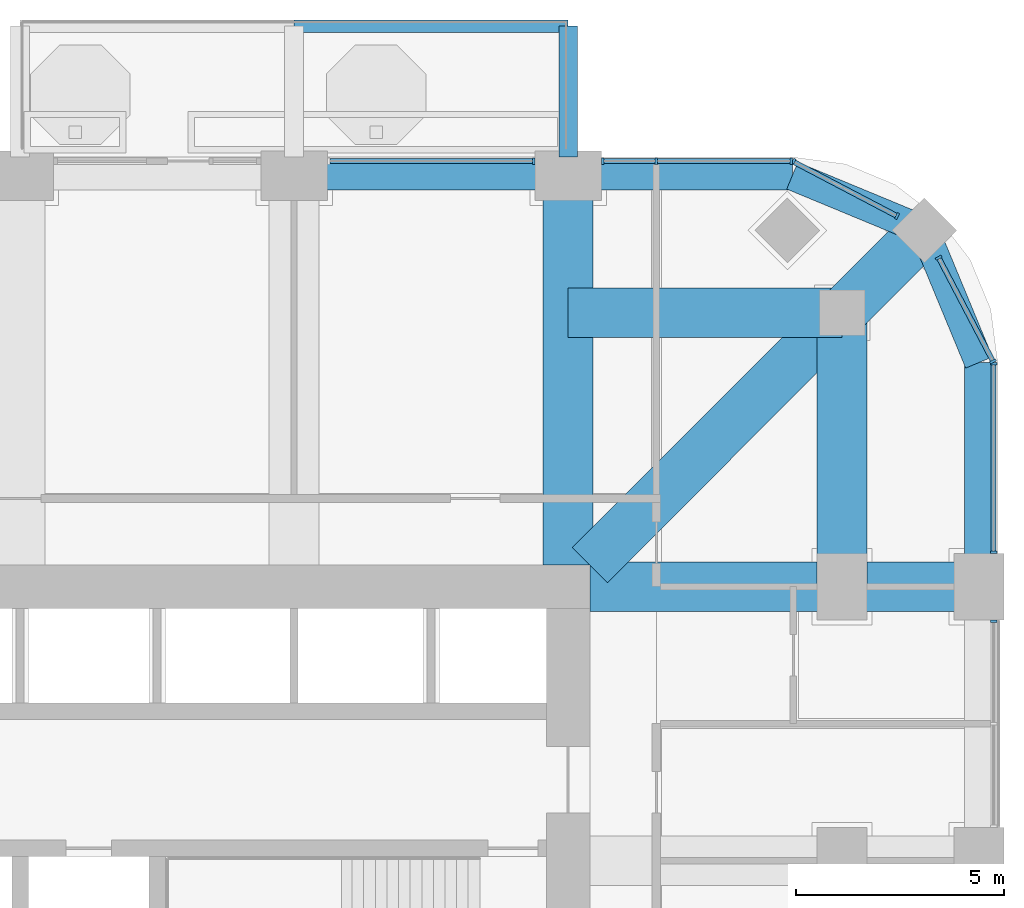
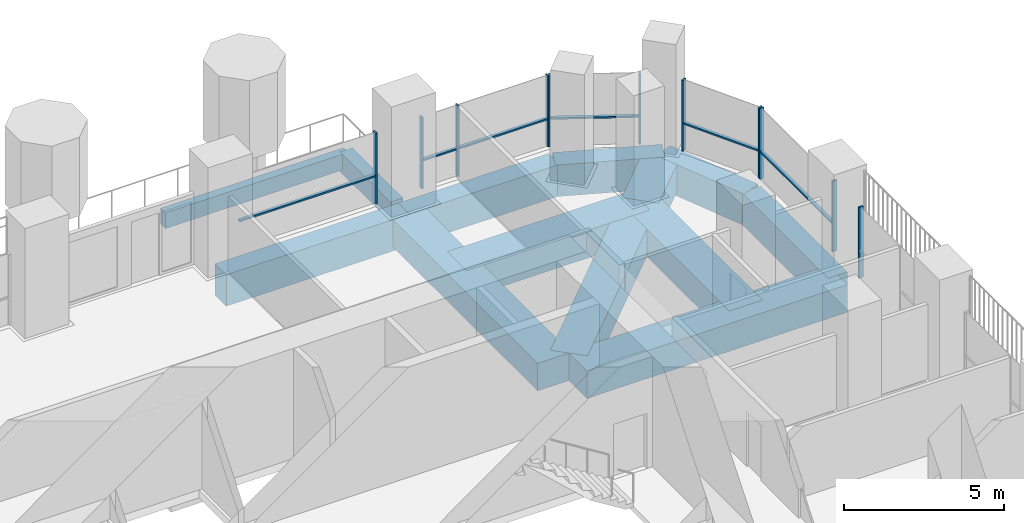
# One storey, part 7 of 19: 17 members, 13 beams, 6 elements without a shape of their own.
"""IFC4 building model written with IfcOpenShell, lengths in metres."""

from ifc_helpers import new_model, si_unit, direction, frame, origin, origin_2d, place, context, subcontext, project, spatial, rectangle, extrude, material, material_profile, profile_set, type_object, element, aggregate, save


model = new_model("IFC4")

# Units and contexts
model_context = context("Model", 3, precision=1e-05, world=origin(), true_north=direction((0.0, 1.0)))
body_context = subcontext(model_context, "Body", "Model", "MODEL_VIEW")
ifc_project = project(units=[si_unit("LENGTHUNIT", "METRE"), si_unit("AREAUNIT", "SQUARE_METRE"), si_unit("VOLUMEUNIT", "CUBIC_METRE"), si_unit("PLANEANGLEUNIT", "RADIAN"), si_unit("MASSUNIT", "GRAM", prefix="KILO")], contexts=[model_context])

# Site, building, storey
site_placement = place(None, origin())
site = spatial("IfcSite", under=ifc_project, at=site_placement, CompositionType="ELEMENT")
building_placement = place(site_placement, origin())
building = spatial("IfcBuilding", under=site, at=building_placement, Name="Cobogo Forest Laboratory Tower", CompositionType="ELEMENT")
storey_placement = place(building_placement, frame((0.0, 0.0, 197.699951171875)))
storey = spatial("IfcBuildingStorey", under=building, at=storey_placement, Name="L45", CompositionType="ELEMENT", Elevation=197.699951171875)

# Beams
ifc_material_1 = material(Name="Concrete HA-40 (C40/50)", Category="concrete")
ifc_material_profile_1 = material_profile(ifc_material_1, rectangle(XDim=0.449951171875, YDim=0.75, at=origin_2d()), Name="RC 450x750")
ifc_profile_set_1 = profile_set([ifc_material_profile_1], Name="Concrete HA-40 (C40/50)")
beam_type_1 = type_object("IfcBeamType", Name="Balcony cantilever beam 450x750", PredefinedType="BEAM", material=ifc_profile_set_1)
beam_1_placement = place(storey_placement, frame((39.60009765625, 43.35009765625, -0.625), z_axis=(0.0, 1.0, 0.0), x_axis=(-1.0, 0.0, 0.0)))
element("IfcBeam", 1, at=beam_1_placement, inside=storey, type_object=beam_type_1, Name="CB1 BAL-N1-C3 L45", PredefinedType="BEAM", context=body_context, shape_type="SweptSolid", body=[
    extrude(rectangle(XDim=0.449951171875, YDim=0.75, at=origin_2d()), origin(), (0.0, 0.0, 1.0), 3.14990234375),
])
ifc_material_profile_2 = material_profile(ifc_material_1, rectangle(XDim=0.300048828125, YDim=0.60009765625, at=origin_2d()), Name="RC 300x600")
ifc_profile_set_2 = profile_set([ifc_material_profile_2], Name="Concrete HA-40 (C40/50)")
beam_type_2 = type_object("IfcBeamType", Name="Balcony edge beam 300x600", PredefinedType="BEAM", material=ifc_profile_set_2)
beam_2_placement = place(storey_placement, frame((33.0, 46.5, -0.550048828125), z_axis=(1.0, 0.0, 0.0), x_axis=(0.0, 1.0, 0.0)))
element("IfcBeam", 2, at=beam_2_placement, inside=storey, type_object=beam_type_2, Name="BB1 BAL-N1-T2 L45", PredefinedType="BEAM", context=body_context, shape_type="SweptSolid", body=[
    extrude(rectangle(XDim=0.300048828125, YDim=0.60009765625, at=origin_2d()), origin(), (0.0, 0.0, 1.0), 6.60009765625),
])
ifc_material_profile_3 = material_profile(ifc_material_1, rectangle(XDim=1.199951171875, YDim=1.050048828125, at=origin_2d()), Name="RC 1200x1050")
ifc_profile_set_3 = profile_set([ifc_material_profile_3], Name="Concrete HA-40 (C40/50)")
beam_type_3 = type_object("IfcBeamType", Name="Laboratory floor wide beam 1200x1050", PredefinedType="BEAM", material=ifc_profile_set_3)
for number, where, z_axis, x_axis, name in (
    (3, (39.60009765625, 33.52490234375, -0.824951171875), (0.0, 1.0, 0.0), (-1.0, 0.0, 0.0), "RB1 R-7-N L45"),
    (4, (40.125, 33.0, -0.824951171875), (1.0, 0.0, 0.0), (0.0, 1.0, 0.0), "RB1 R-F-E L45"),
):
    element("IfcBeam", number, at=place(storey_placement, frame(where, z_axis=z_axis, x_axis=x_axis)), inside=storey, type_object=beam_type_3, Name=name, PredefinedType="BEAM", context=body_context, shape_type="SweptSolid", body=[
        extrude(rectangle(XDim=1.199951171875, YDim=1.050048828125, at=origin_2d()), origin(), (0.0, 0.0, 1.0), 9.375),
    ])
beam_3_placement = place(storey_placement, frame((46.199951171875, 39.60009765625, -0.824951171875), z_axis=(0.0, -1.0, 0.0), x_axis=(1.0, 0.0, 0.0)))
element("IfcBeam", 5, at=beam_3_placement, inside=storey, type_object=beam_type_3, Name="RB1 G-NE-XC L45", PredefinedType="BEAM", context=body_context, shape_type="SweptSolid", body=[
    extrude(rectangle(XDim=1.199951171875, YDim=1.050048828125, at=origin_2d()), origin(), (0.0, 0.0, 1.0), 6.60009765625),
])
beam_4_placement = place(storey_placement, frame((46.199951171875, 39.60009765625, -0.824951171875), z_axis=(-1.0, 0.0, 0.0), x_axis=(0.0, -1.0, 0.0)))
element("IfcBeam", 6, at=beam_4_placement, inside=storey, type_object=beam_type_3, Name="RB1 G-NE-YC L45", PredefinedType="BEAM", context=body_context, shape_type="SweptSolid", body=[
    extrude(rectangle(XDim=1.199951171875, YDim=1.050048828125, at=origin_2d()), origin(), (0.0, 0.0, 1.0), 6.599853515625),
])
beam_5_placement = place(storey_placement, frame((48.181884765625, 41.58203125, -0.824951171875), z_axis=(-0.707106781187, -0.707106781187, 0.0), x_axis=(0.707106781187, -0.707106781187, 0.0)))
element("IfcBeam", 7, at=beam_5_placement, inside=storey, type_object=beam_type_3, Name="RB1 G-NE-D1 L45", PredefinedType="BEAM", context=body_context, shape_type="SweptSolid", body=[
    extrude(rectangle(XDim=1.199951171875, YDim=1.050048828125, at=origin_2d()), origin(), (0.0, 0.0, 1.0), 2.802978515625),
])
beam_6_placement = place(storey_placement, frame((46.199951171875, 39.60009765625, -0.824951171875), z_axis=(-0.707092572697, -0.70712098939, 0.0), x_axis=(0.70712098939, -0.707092572697, 0.0)))
element("IfcBeam", 8, at=beam_6_placement, inside=storey, type_object=beam_type_3, Name="RB1 G-NE-D2 L45", PredefinedType="BEAM", context=body_context, shape_type="SweptSolid", body=[
    extrude(rectangle(XDim=1.199951171875, YDim=1.050048828125, at=origin_2d()), origin(), (0.0, 0.0, 1.0), 8.591552734375),
])

# Curtain wall, member
ifc_material_2 = material(Name="Aluminium curtain wall", Category="aluminium")
curtain_wall_type = type_object("IfcCurtainWallType", Name="CW-2 unitised curtain wall, solar control glazing, laboratory floors zones C and D", PredefinedType="USERDEFINED", material=ifc_material_2)
curtain_wall_1_placement = place(storey_placement, origin())
curtain_wall_1 = element("IfcCurtainWall", 9, at=curtain_wall_1_placement, inside=storey, type_object=curtain_wall_type, Name="Curtain wall 12 L45", ObjectType="UNITISED CURTAIN WALL", PredefinedType="USERDEFINED")
ifc_material_3 = material(Name="Aluminium mullion", Category="aluminium")
ifc_material_profile_4 = material_profile(ifc_material_3, rectangle(XDim=0.06005859375, YDim=0.159912109375, at=origin_2d()), Name="AL 60x160")
ifc_profile_set_4 = profile_set([ifc_material_profile_4], Name="Aluminium mullion")
member_type_1 = type_object("IfcMemberType", Name="MU-1 aluminium mullion 60x160", PredefinedType="MULLION", material=ifc_profile_set_4)
member_1_placement = place(storey_placement, frame((49.85009765625, 32.169921875, 0.0), z_axis=(0.0, 0.0, 1.0), x_axis=(0.0, 1.0, 0.0)))
member_1 = element("IfcMember", 10, at=member_1_placement, type_object=member_type_1, Name="CW-2 mullion 3", PredefinedType="MULLION", context=body_context, shape_type="SweptSolid", body=[
    extrude(rectangle(XDim=0.06005859375, YDim=0.159912109375, at=origin_2d()), origin(), (0.0, 0.0, 1.0), 2.699951171875),
])
aggregate(curtain_wall_1, [member_1])

# Curtain wall, members
curtain_wall_2_placement = place(storey_placement, origin())
curtain_wall_2 = element("IfcCurtainWall", 11, at=curtain_wall_2_placement, inside=storey, type_object=curtain_wall_type, Name="Curtain wall 13 L45", ObjectType="UNITISED CURTAIN WALL", PredefinedType="USERDEFINED")
member_2_placement = place(storey_placement, frame((49.85009765625, 33.830078125, 0.0), z_axis=(0.0, 0.0, 1.0), x_axis=(0.0, 1.0, 0.0)))
member_2 = element("IfcMember", 12, at=member_2_placement, type_object=member_type_1, Name="CW-2 mullion 1", PredefinedType="MULLION", context=body_context, shape_type="SweptSolid", body=[
    extrude(rectangle(XDim=0.06005859375, YDim=0.159912109375, at=origin_2d()), origin(), (0.0, 0.0, 1.0), 2.699951171875),
])
member_3_placement = place(storey_placement, frame((49.85009765625, 38.3701171875, 0.0), z_axis=(0.0, 0.0, 1.0), x_axis=(0.0, 1.0, 0.0)))
member_3 = element("IfcMember", 13, at=member_3_placement, type_object=member_type_1, Name="CW-2 mullion 2", PredefinedType="MULLION", context=body_context, shape_type="SweptSolid", body=[
    extrude(rectangle(XDim=0.06005859375, YDim=0.159912109375, at=origin_2d()), origin(), (0.0, 0.0, 1.0), 2.699951171875),
])

curtain_wall_3_placement = place(storey_placement, origin())
curtain_wall_3 = element("IfcCurtainWall", 14, at=curtain_wall_3_placement, inside=storey, type_object=curtain_wall_type, Name="Curtain wall 14 L45", ObjectType="UNITISED CURTAIN WALL", PredefinedType="USERDEFINED")
member_4_placement = place(storey_placement, frame((49.836181640625, 38.426513671875, 0.0), z_axis=(0.0, 0.0, 1.0), x_axis=(-0.464283804832, 0.885686484356, 0.0)))
member_4 = element("IfcMember", 15, at=member_4_placement, type_object=member_type_1, Name="CW-2 mullion 1", PredefinedType="MULLION", context=body_context, shape_type="SweptSolid", body=[
    extrude(rectangle(XDim=0.06005859375, YDim=0.159912109375, at=origin_2d()), origin(), (0.0, 0.0, 1.0), 2.699951171875),
])
member_5_placement = place(storey_placement, frame((48.526611328125, 40.924560546875, 0.0), z_axis=(0.0, 0.0, 1.0), x_axis=(-0.464283804832, 0.885686484356, 0.0)))
member_5 = element("IfcMember", 16, at=member_5_placement, type_object=member_type_1, Name="CW-2 mullion 2", PredefinedType="MULLION", context=body_context, shape_type="SweptSolid", body=[
    extrude(rectangle(XDim=0.06005859375, YDim=0.159912109375, at=origin_2d()), origin(), (0.0, 0.0, 1.0), 2.699951171875),
])

curtain_wall_4_placement = place(storey_placement, origin())
curtain_wall_4 = element("IfcCurtainWall", 17, at=curtain_wall_4_placement, inside=storey, type_object=curtain_wall_type, Name="Curtain wall 15 L45", ObjectType="UNITISED CURTAIN WALL", PredefinedType="USERDEFINED")
member_6_placement = place(storey_placement, frame((47.5244140625, 41.9267578125, 0.0), z_axis=(0.0, 0.0, 1.0), x_axis=(-0.885686484356, 0.464283804832, 0.0)))
member_6 = element("IfcMember", 18, at=member_6_placement, type_object=member_type_1, Name="CW-2 mullion 1", PredefinedType="MULLION", context=body_context, shape_type="SweptSolid", body=[
    extrude(rectangle(XDim=0.06005859375, YDim=0.159912109375, at=origin_2d()), origin(), (0.0, 0.0, 1.0), 2.699951171875),
])
member_7_placement = place(storey_placement, frame((45.026611328125, 43.236083984375, 0.0), z_axis=(0.0, 0.0, 1.0), x_axis=(-0.885686484356, 0.464283804832, 0.0)))
member_7 = element("IfcMember", 19, at=member_7_placement, type_object=member_type_1, Name="CW-2 mullion 2", PredefinedType="MULLION", context=body_context, shape_type="SweptSolid", body=[
    extrude(rectangle(XDim=0.06005859375, YDim=0.159912109375, at=origin_2d()), origin(), (0.0, 0.0, 1.0), 2.699951171875),
])

curtain_wall_5_placement = place(storey_placement, origin())
curtain_wall_5 = element("IfcCurtainWall", 20, at=curtain_wall_5_placement, inside=storey, type_object=curtain_wall_type, Name="Curtain wall 16 L45", ObjectType="UNITISED CURTAIN WALL", PredefinedType="USERDEFINED")
member_8_placement = place(storey_placement, frame((44.969970703125, 43.25, 0.0), z_axis=(0.0, 0.0, 1.0), x_axis=(-1.0, 0.0, 0.0)))
member_8 = element("IfcMember", 21, at=member_8_placement, type_object=member_type_1, Name="CW-2 mullion 1", PredefinedType="MULLION", context=body_context, shape_type="SweptSolid", body=[
    extrude(rectangle(XDim=0.06005859375, YDim=0.159912109375, at=origin_2d()), origin(), (0.0, 0.0, 1.0), 2.699951171875),
])
member_9_placement = place(storey_placement, frame((41.72509765625, 43.25, 0.0), z_axis=(0.0, 0.0, 1.0), x_axis=(-1.0, 0.0, 0.0)))
member_9 = element("IfcMember", 22, at=member_9_placement, type_object=member_type_1, Name="CW-2 mullion 2", PredefinedType="MULLION", context=body_context, shape_type="SweptSolid", body=[
    extrude(rectangle(XDim=0.06005859375, YDim=0.159912109375, at=origin_2d()), origin(), (0.0, 0.0, 1.0), 2.699951171875),
])
member_10_placement = place(storey_placement, frame((40.429931640625, 43.25, 0.0), z_axis=(0.0, 0.0, 1.0), x_axis=(-1.0, 0.0, 0.0)))
member_10 = element("IfcMember", 23, at=member_10_placement, type_object=member_type_1, Name="CW-2 mullion 3", PredefinedType="MULLION", context=body_context, shape_type="SweptSolid", body=[
    extrude(rectangle(XDim=0.06005859375, YDim=0.159912109375, at=origin_2d()), origin(), (0.0, 0.0, 1.0), 2.699951171875),
])

# Curtain wall, member
curtain_wall_6_placement = place(storey_placement, origin())
curtain_wall_6 = element("IfcCurtainWall", 24, at=curtain_wall_6_placement, inside=storey, type_object=curtain_wall_type, Name="Curtain wall 17 L45", ObjectType="UNITISED CURTAIN WALL", PredefinedType="USERDEFINED")
member_11_placement = place(storey_placement, frame((38.77001953125, 43.25, 0.0), z_axis=(0.0, 0.0, 1.0), x_axis=(-1.0, 0.0, 0.0)))
member_11 = element("IfcMember", 25, at=member_11_placement, type_object=member_type_1, Name="CW-2 mullion 1", PredefinedType="MULLION", context=body_context, shape_type="SweptSolid", body=[
    extrude(rectangle(XDim=0.06005859375, YDim=0.159912109375, at=origin_2d()), origin(), (0.0, 0.0, 1.0), 2.699951171875),
])

# Beams
ifc_material_profile_5 = material_profile(ifc_material_1, rectangle(XDim=0.699951171875, YDim=1.199951171875, at=origin_2d()), Name="RC 700x1200")
ifc_profile_set_5 = profile_set([ifc_material_profile_5], Name="Concrete HA-40 (C40/50)")
beam_type_4 = type_object("IfcBeamType", Name="Perimeter edge beam 700x1200", PredefinedType="BEAM", material=ifc_profile_set_5)
beam_7_placement = place(storey_placement, frame((33.0, 42.89990234375, -0.89990234375), z_axis=(1.0, 0.0, 0.0), x_axis=(0.0, 1.0, 0.0)))
element("IfcBeam", 26, at=beam_7_placement, inside=storey, type_object=beam_type_4, Name="EB1 E-N4 L45", PredefinedType="BEAM", context=body_context, shape_type="SweptSolid", body=[
    extrude(rectangle(XDim=0.699951171875, YDim=1.199951171875, at=origin_2d()), origin(), (0.0, 0.0, 1.0), 6.60009765625),
])
beam_8_placement = place(storey_placement, frame((49.5, 33.0, -0.89990234375), z_axis=(0.0, 1.0, 0.0), x_axis=(-1.0, 0.0, 0.0)))
element("IfcBeam", 27, at=beam_8_placement, inside=storey, type_object=beam_type_4, Name="EB1 E-NEE1 L45", PredefinedType="BEAM", context=body_context, shape_type="SweptSolid", body=[
    extrude(rectangle(XDim=0.699951171875, YDim=1.199951171875, at=origin_2d()), origin(), (0.0, 0.0, 1.0), 5.39990234375),
])
beam_9_placement = place(storey_placement, frame((49.5, 38.39990234375, -0.89990234375), z_axis=(-0.382691928466, 0.923876013265, 0.0), x_axis=(-0.923876013265, -0.382691928466, 0.0)))
element("IfcBeam", 28, at=beam_9_placement, inside=storey, type_object=beam_type_4, Name="EB1 E-NEE2 L45", PredefinedType="BEAM", context=body_context, shape_type="SweptSolid", body=[
    extrude(rectangle(XDim=0.699951171875, YDim=1.199951171875, at=origin_2d()), origin(), (0.0, 0.0, 1.0), 3.4443359375),
])
beam_10_placement = place(storey_placement, frame((39.60009765625, 42.89990234375, -0.89990234375), z_axis=(1.0, 0.0, 0.0), x_axis=(0.0, 1.0, 0.0)))
element("IfcBeam", 29, at=beam_10_placement, inside=storey, type_object=beam_type_4, Name="EB1 E-NEN1 L45", PredefinedType="BEAM", context=body_context, shape_type="SweptSolid", body=[
    extrude(rectangle(XDim=0.699951171875, YDim=1.199951171875, at=origin_2d()), origin(), (0.0, 0.0, 1.0), 5.39990234375),
])
beam_11_placement = place(storey_placement, frame((45.0, 42.89990234375, -0.89990234375), z_axis=(0.923890694089, -0.382656484822, 0.0), x_axis=(0.382656484822, 0.923890694089, 0.0)))
element("IfcBeam", 30, at=beam_11_placement, inside=storey, type_object=beam_type_4, Name="EB1 E-NEN2 L45", PredefinedType="BEAM", context=body_context, shape_type="SweptSolid", body=[
    extrude(rectangle(XDim=0.699951171875, YDim=1.199951171875, at=origin_2d()), origin(), (0.0, 0.0, 1.0), 3.444091796875),
])

# Member
ifc_material_4 = material(Name="Aluminium transom", Category="aluminium")
ifc_material_profile_6 = material_profile(ifc_material_4, rectangle(XDim=0.1201171875, YDim=0.06005859375, at=origin_2d()), Name="AL 60x120")
ifc_profile_set_6 = profile_set([ifc_material_profile_6], Name="Aluminium transom")
member_type_2 = type_object("IfcMemberType", Name="TR-1 aluminium transom 60x120", PredefinedType="USERDEFINED", material=ifc_profile_set_6)
member_12_placement = place(storey_placement, frame((49.85009765625, 33.860107421875, 1.050048828125), z_axis=(0.0, 1.0, 0.0), x_axis=(-1.0, 0.0, 0.0)))
member_12 = element("IfcMember", 31, at=member_12_placement, type_object=member_type_2, Name="CW-2 transom 1.1", ObjectType="TRANSOM", PredefinedType="USERDEFINED", context=body_context, shape_type="SweptSolid", body=[
    extrude(rectangle(XDim=0.1201171875, YDim=0.06005859375, at=origin_2d()), origin(), (0.0, 0.0, 1.0), 4.47998046875),
])

aggregate(curtain_wall_2, [member_2, member_3, member_12])

member_13_placement = place(storey_placement, frame((49.822021484375, 38.453125, 1.050048828125), z_axis=(-0.464254846591, 0.88570166389, 0.0), x_axis=(-0.88570166389, -0.464254846591, 0.0)))
member_13 = element("IfcMember", 32, at=member_13_placement, type_object=member_type_2, Name="CW-2 transom 1.1", ObjectType="TRANSOM", PredefinedType="USERDEFINED", context=body_context, shape_type="SweptSolid", body=[
    extrude(rectangle(XDim=0.1201171875, YDim=0.06005859375, at=origin_2d()), origin(), (0.0, 0.0, 1.0), 2.76025390625),
])

aggregate(curtain_wall_3, [member_4, member_5, member_13])

member_14_placement = place(storey_placement, frame((47.497802734375, 41.940673828125, 1.050048828125), z_axis=(-0.885682598583, 0.464291217414, 0.0), x_axis=(-0.464291217414, -0.885682598583, 0.0)))
member_14 = element("IfcMember", 33, at=member_14_placement, type_object=member_type_2, Name="CW-2 transom 1.1", ObjectType="TRANSOM", PredefinedType="USERDEFINED", context=body_context, shape_type="SweptSolid", body=[
    extrude(rectangle(XDim=0.1201171875, YDim=0.06005859375, at=origin_2d()), origin(), (0.0, 0.0, 1.0), 2.760009765625),
])

aggregate(curtain_wall_4, [member_6, member_7, member_14])

member_15_placement = place(storey_placement, frame((44.93994140625, 43.25, 1.050048828125), z_axis=(-1.0, 0.0, 0.0), x_axis=(0.0, -1.0, 0.0)))
member_15 = element("IfcMember", 34, at=member_15_placement, type_object=member_type_2, Name="CW-2 transom 1.1", ObjectType="TRANSOM", PredefinedType="USERDEFINED", context=body_context, shape_type="SweptSolid", body=[
    extrude(rectangle(XDim=0.1201171875, YDim=0.06005859375, at=origin_2d()), origin(), (0.0, 0.0, 1.0), 3.18505859375),
])

member_16_placement = place(storey_placement, frame((41.695068359375, 43.25, 1.050048828125), z_axis=(-1.0, 0.0, 0.0), x_axis=(0.0, -1.0, 0.0)))
member_16 = element("IfcMember", 35, at=member_16_placement, type_object=member_type_2, Name="CW-2 transom 2.1", ObjectType="TRANSOM", PredefinedType="USERDEFINED", context=body_context, shape_type="SweptSolid", body=[
    extrude(rectangle(XDim=0.1201171875, YDim=0.06005859375, at=origin_2d()), origin(), (0.0, 0.0, 1.0), 1.235107421875),
])

aggregate(curtain_wall_5, [member_8, member_9, member_10, member_15, member_16])

member_17_placement = place(storey_placement, frame((38.739990234375, 43.25, 1.050048828125), z_axis=(-1.0, 0.0, 0.0), x_axis=(0.0, -1.0, 0.0)))
member_17 = element("IfcMember", 36, at=member_17_placement, type_object=member_type_2, Name="CW-2 transom 1.1", ObjectType="TRANSOM", PredefinedType="USERDEFINED", context=body_context, shape_type="SweptSolid", body=[
    extrude(rectangle(XDim=0.1201171875, YDim=0.06005859375, at=origin_2d()), origin(), (0.0, 0.0, 1.0), 4.8798828125),
])

aggregate(curtain_wall_6, [member_11, member_17])

save(model, "model.ifc")
